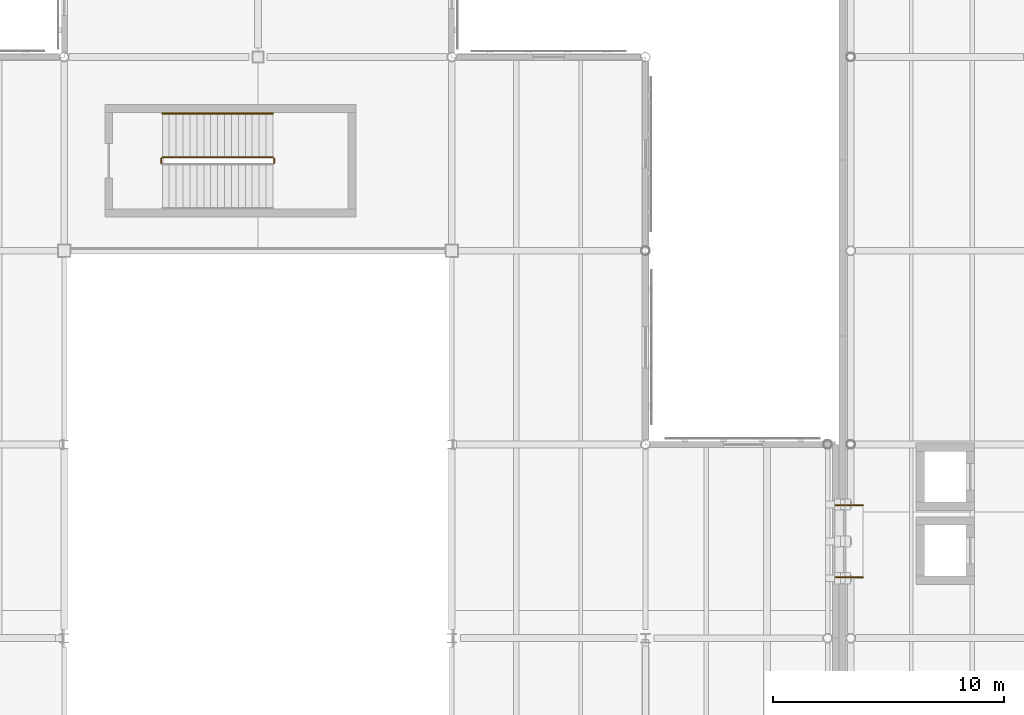
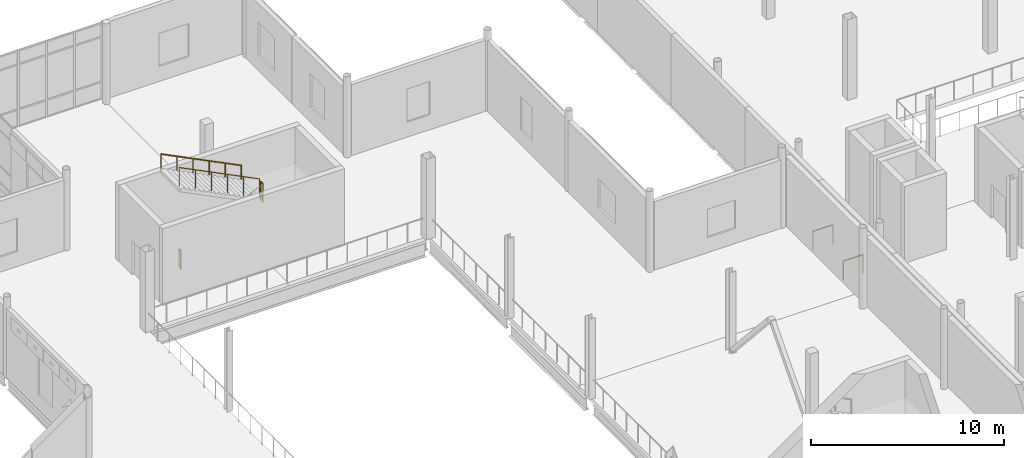
# One storey, part 98 of 104: 6 railings.
"""IFC4 building model written with IfcOpenShell, lengths in metres."""

import ifcopenshell
import ifcopenshell.guid

model = None  # the IFC model being written
_history = None  # IfcOwnerHistory: only IFC2X3 demands one
_inside = {}  # id of a spatial element -> (the spatial element, [elements in it])
_under = {}  # id of a project, library or spatial element -> (it, [spatial elements below it])
_declared = {}  # id of a project -> (the project, [libraries it declares])
_typed = {}  # id of a type object -> (the type object, [elements of that type])
_made_of = {}  # id of a material, layer set ... -> (it, [elements and type objects made of it])


def new_model(schema):
    """Start an empty IFC model of exactly this schema.

    Asked for "IFC4X3", IfcOpenShell would pick the latest addendum, in which some entities
    have other attributes; the version numbers below select the first issue.
    IFC2X3 requires an IfcOwnerHistory on every rooted entity: one is made here for all.
    """
    global model, _history
    if schema == "IFC4X3":
        model = ifcopenshell.file(schema_version=(4, 3, 0, 0))
    else:
        model = ifcopenshell.file(schema=schema)
    _inside.clear()
    _under.clear()
    _declared.clear()
    _typed.clear()
    _made_of.clear()
    _history = None
    if model.schema == "IFC2X3":
        org = make("IfcOrganization", Name="unknown")
        user = make(
            "IfcPersonAndOrganization",
            ThePerson=make("IfcPerson", FamilyName="unknown"),
            TheOrganization=org,
        )
        app = make(
            "IfcApplication",
            ApplicationDeveloper=org,
            Version="unknown",
            ApplicationFullName="unknown",
            ApplicationIdentifier="unknown",
        )
        _history = make(
            "IfcOwnerHistory",
            OwningUser=user,
            OwningApplication=app,
            ChangeAction="ADDED",
            CreationDate=0,
        )
    return model


def make(cls, **values):
    """One entity of the class cls with the attributes given. An attribute that is None is left unset."""
    return model.create_entity(
        cls, **{name: value for name, value in values.items() if value is not None}
    )


def rooted(cls, **values):
    """An entity with a GlobalId (a new one), such as an element, a storey or a relation."""
    return make(cls, GlobalId=ifcopenshell.guid.new(), OwnerHistory=_history, **values)


def si_unit(unit_type, name, prefix=None):
    """IfcSIUnit, for example si_unit("LENGTHUNIT", "METRE", prefix="MILLI")."""
    return make("IfcSIUnit", UnitType=unit_type, Prefix=prefix, Name=name)


def assignment(units):
    """IfcUnitAssignment: the units of a project."""
    return None if units is None else make("IfcUnitAssignment", Units=units)


def point(xyz):
    """IfcCartesianPoint."""
    return None if xyz is None else make("IfcCartesianPoint", Coordinates=xyz)


def direction(xyz):
    """IfcDirection."""
    return None if xyz is None else make("IfcDirection", DirectionRatios=xyz)


def frame(location, z_axis=None, x_axis=None):
    """IfcAxis2Placement3D, a coordinate frame: its origin and axes. An axis left out is left unset."""
    return make(
        "IfcAxis2Placement3D",
        Location=point(location),
        Axis=direction(z_axis),
        RefDirection=direction(x_axis),
    )


def frame_2d(location, x_axis=None):
    """IfcAxis2Placement2D, a coordinate frame in the plane: its origin and x axis."""
    return make(
        "IfcAxis2Placement2D", Location=point(location), RefDirection=direction(x_axis)
    )


def origin():
    """The frame at (0, 0, 0) with its axes left unset."""
    return frame((0.0, 0.0, 0.0))


def origin_2d():
    """The frame at (0, 0) in the plane with its x axis left unset."""
    return frame_2d((0.0, 0.0))


def place(relative_to, where):
    """IfcLocalPlacement: puts the frame where relative to a parent placement (None: the world)."""
    return make(
        "IfcLocalPlacement", PlacementRelTo=relative_to, RelativePlacement=where
    )


def context(
    kind, dimensions, precision=None, world=None, true_north=None, identifier=None
):
    """IfcGeometricRepresentationContext, for example the 3D "Model" context."""
    return make(
        "IfcGeometricRepresentationContext",
        ContextIdentifier=identifier,
        ContextType=kind,
        CoordinateSpaceDimension=dimensions,
        Precision=precision,
        WorldCoordinateSystem=world,
        TrueNorth=true_north,
    )


def subcontext(parent, identifier, kind, view, scale=None):
    """IfcGeometricRepresentationSubContext, for example "Body" below "Model"."""
    return make(
        "IfcGeometricRepresentationSubContext",
        ContextIdentifier=identifier,
        ContextType=kind,
        ParentContext=parent,
        TargetScale=scale,
        TargetView=view,
    )


def project(units=None, contexts=None):
    """IfcProject with its units and contexts."""
    return rooted(
        "IfcProject",
        Name="project",
        RepresentationContexts=contexts,
        UnitsInContext=assignment(units),
    )


def spatial(cls, under=None, at=None, **own):
    """A site, building, storey or space (cls), placed at a placement, below another one or the project."""
    s = rooted(cls, ObjectPlacement=at, **own)
    if under is not None:
        _under.setdefault(under.id(), (under, []))[1].append(s)
    return s


def profile(cls, at=None, kind="AREA", **sizes):
    """A parametric profile (cls). Its sizes go by their IFC names, for example OverallWidth=200.0."""
    return make(cls, ProfileType=kind, Position=at, **sizes)


def circle(**sizes):
    """IfcCircleProfileDef."""
    return profile("IfcCircleProfileDef", **sizes)


def extrude(swept, where, along, depth):
    """IfcExtrudedAreaSolid: the profile swept, set in the frame where, extruded along a direction by depth."""
    return make(
        "IfcExtrudedAreaSolid",
        SweptArea=swept,
        Position=where,
        ExtrudedDirection=direction(along),
        Depth=depth,
    )


def shape(context_of_items, identifier, shape_type, items):
    """IfcShapeRepresentation: the items that make up one representation, for example the "Body"."""
    return make(
        "IfcShapeRepresentation",
        ContextOfItems=context_of_items,
        RepresentationIdentifier=identifier,
        RepresentationType=shape_type,
        Items=items,
    )


def material(Name=None, Category=None):
    """IfcMaterial."""
    return make("IfcMaterial", Name=Name, Category=Category)


def made_of(thing, what):
    """Note that an element or type object is made of a material, layer set ...; save() writes the relation."""
    if what is not None:
        _made_of.setdefault(what.id(), (what, []))[1].append(thing)
    return thing


def type_object(cls, material=None, **own):
    """A type object (cls), such as IfcWallType, which elements share."""
    return made_of(rooted(cls, **own), material)


def element(
    cls,
    number,
    at=None,
    inside=None,
    cuts=None,
    type_object=None,
    material=None,
    context=None,
    identifier="Body",
    shape_type=None,
    held_by="IfcProductDefinitionShape",
    body=None,
    shapes=None,
    **own,
):
    """One element of the class cls, such as IfcWall. Its Tag is "e" and its number.

    at: its placement. inside: the storey or other place that contains it. cuts: it is an
    opening in that element (IfcRelVoidsElement). A single representation is given by context,
    identifier, shape_type and body (its items); several are given by shapes. held_by: the class
    of the entity that holds the representations. save() writes the other relations.
    """
    e = rooted(cls, Tag="e%d" % number, ObjectPlacement=at, **own)
    if body is not None:
        shapes = [shape(context, identifier, shape_type, body)]
    if shapes is not None:
        e.Representation = make(held_by, Representations=shapes)
    if inside is not None:
        _inside.setdefault(inside.id(), (inside, []))[1].append(e)
    if cuts is not None:
        rooted(
            "IfcRelVoidsElement", RelatingBuildingElement=cuts, RelatedOpeningElement=e
        )
    if type_object is not None:
        _typed.setdefault(type_object.id(), (type_object, []))[1].append(e)
    return made_of(e, material)


def aggregate(whole, parts):
    """IfcRelAggregates: a whole, such as a stair, and the parts it consists of."""
    return rooted("IfcRelAggregates", RelatingObject=whole, RelatedObjects=parts)


def save(model, path):
    """Write the relations noted so far, then the file.

    IfcRelAggregates (storeys below a building ...), IfcRelContainedInSpatialStructure (elements
    in a storey), IfcRelDefinesByType, IfcRelAssociatesMaterial and IfcRelDeclares: one each for
    every whole, place, type object, material and project.
    """
    for whole, parts in _under.values():
        aggregate(whole, parts)
    for where, things in _inside.values():
        rooted(
            "IfcRelContainedInSpatialStructure",
            RelatedElements=things,
            RelatingStructure=where,
        )
    for kind, things in _typed.values():
        rooted("IfcRelDefinesByType", RelatedObjects=things, RelatingType=kind)
    for what, things in _made_of.values():
        rooted("IfcRelAssociatesMaterial", RelatedObjects=things, RelatingMaterial=what)
    for by, libraries in _declared.values():
        rooted("IfcRelDeclares", RelatingContext=by, RelatedDefinitions=libraries)
    model.write(path)


model = new_model("IFC4")

# Units and contexts
model_context = context("Model", 3, precision=1e-05, world=origin(), true_north=direction((0.0, 1.0)))
body_context = subcontext(model_context, "Body", "Model", "MODEL_VIEW")
ifc_project = project(units=[si_unit("LENGTHUNIT", "METRE"), si_unit("AREAUNIT", "SQUARE_METRE"), si_unit("VOLUMEUNIT", "CUBIC_METRE"), si_unit("PLANEANGLEUNIT", "RADIAN"), si_unit("MASSUNIT", "GRAM", prefix="KILO"), si_unit("THERMODYNAMICTEMPERATUREUNIT", "KELVIN")], contexts=[model_context])

# Site, building, storey
site_placement = place(None, origin())
site = spatial("IfcSite", under=ifc_project, at=site_placement, CompositionType="ELEMENT")
building_placement = place(site_placement, origin())
building = spatial("IfcBuilding", under=site, at=building_placement, Name="Lustrewick Department Store", CompositionType="ELEMENT")
storey_placement = place(building_placement, frame((0.0, 0.0, 11.39990234375)))
storey = spatial("IfcBuildingStorey", under=building, at=storey_placement, Name="L03", CompositionType="ELEMENT", Elevation=11.39990234375)

# Railings
ifc_material_1 = material(Name="Laminated safety glass and bronze atrium balustrade", Category="glass")
railing_type_1 = type_object("IfcRailingType", Name="RL-BAL", PredefinedType="BALUSTRADE", material=ifc_material_1)
for number, where, name in (
    (1, (109.0400390625, 78.239990234375, 0.0), "L03 Skybridge SB24 South Guard 0032"),
    (2, (109.0400390625, 81.360107421875, 0.0), "L03 Skybridge SB24 North Guard 0033"),
):
    element("IfcRailing", number, at=place(storey_placement, frame(where)), inside=storey, type_object=railing_type_1, Name=name, PredefinedType="BALUSTRADE", context=body_context, shape_type="SweptSolid", body=[
        extrude(circle(Radius=0.02392578125, at=origin_2d()), frame((0.0, 0.0, 1.17578125), z_axis=(1.0, 0.0, 0.0), x_axis=(0.0, 1.0, 0.0)), (0.0, 0.0, 1.0), 1.18994140625),
        extrude(circle(Radius=0.02099609375, at=origin_2d()), origin(), (0.0, 0.0, 1.0), 1.15185546875),
        extrude(circle(Radius=0.02099609375, at=origin_2d()), frame((1.18994140625, 0.0, 0.0)), (0.0, 0.0, 1.0), 1.15185546875),
    ])
ifc_material_2 = material(Name="Painted tubular steel stairwell guardrail", Category="steel")
railing_type_2 = type_object("IfcRailingType", Name="RL-STG", PredefinedType="GUARDRAIL", material=ifc_material_2)
railing_1_placement = place(storey_placement, frame((84.699951171875, 96.199951171875, 2.550048828125)))
element("IfcRailing", 3, at=railing_1_placement, inside=storey, type_object=railing_type_2, Name="L03 ST06 Stair Guard 2", PredefinedType="GUARDRAIL", context=body_context, shape_type="SweptSolid", body=[
    extrude(circle(Radius=0.02392578125, at=origin_2d()), frame((0.0, 0.0, 1.17578125), z_axis=(0.0, 1.0, 0.0), x_axis=(-1.0, 0.0, 0.0)), (0.0, 0.0, 1.0), 0.199951171875),
    extrude(circle(Radius=0.02099609375, at=origin_2d()), origin(), (0.0, 0.0, 1.0), 1.15185546875),
    extrude(circle(Radius=0.02099609375, at=origin_2d()), frame((0.0, 0.199951171875, 0.0)), (0.0, 0.0, 1.0), 1.15185546875),
])
railing_2_placement = place(storey_placement, frame((84.64990234375, 96.449951171875, 2.7001953125)))
element("IfcRailing", 4, at=railing_2_placement, inside=storey, type_object=railing_type_2, Name="L03 ST06 Stair Guard 3", PredefinedType="GUARDRAIL", context=body_context, shape_type="SweptSolid", body=[
    extrude(circle(Radius=0.02392578125, at=origin_2d()), frame((0.0, 0.0, 1.17578125), z_axis=(-0.894427191, 0.0, 0.4472135955), x_axis=(0.0, -1.0, 0.0)), (0.0, 0.0, 1.0), 5.366455078125),
    extrude(circle(Radius=0.02099609375, at=origin_2d()), origin(), (0.0, 0.0, 1.0), 1.15185546875),
    extrude(circle(Radius=0.02099609375, at=origin_2d()), frame((-0.9599609375, 0.0, 0.47998046875)), (0.0, 0.0, 1.0), 1.15185546875),
    extrude(circle(Radius=0.02099609375, at=origin_2d()), frame((-1.919921875, 0.0, 0.9599609375)), (0.0, 0.0, 1.0), 1.15185546875),
    extrude(circle(Radius=0.02099609375, at=origin_2d()), frame((-2.8798828125, 0.0, 1.43994140625)), (0.0, 0.0, 1.0), 1.15185546875),
    extrude(circle(Radius=0.02099609375, at=origin_2d()), frame((-3.83984375, 0.0, 1.919921875)), (0.0, 0.0, 1.0), 1.15185546875),
    extrude(circle(Radius=0.02099609375, at=origin_2d()), frame((-4.7998046875, 0.0, 2.39990234375)), (0.0, 0.0, 1.0), 1.15185546875),
])
railing_3_placement = place(storey_placement, frame((79.800048828125, 96.199951171875, 0.0)))
element("IfcRailing", 5, at=railing_3_placement, inside=storey, type_object=railing_type_2, Name="L03 ST06 Stair Guard 4", PredefinedType="GUARDRAIL", context=body_context, shape_type="SweptSolid", body=[
    extrude(circle(Radius=0.02392578125, at=origin_2d()), frame((0.0, 0.0, 1.17578125), z_axis=(0.0, 1.0, 0.0), x_axis=(-1.0, 0.0, 0.0)), (0.0, 0.0, 1.0), 0.199951171875),
    extrude(circle(Radius=0.02099609375, at=origin_2d()), origin(), (0.0, 0.0, 1.0), 1.15185546875),
    extrude(circle(Radius=0.02099609375, at=origin_2d()), frame((0.0, 0.199951171875, 0.0)), (0.0, 0.0, 1.0), 1.15185546875),
])
ifc_material_3 = material(Name="Brushed stainless steel wall handrail", Category="steel")
railing_type_3 = type_object("IfcRailingType", Name="RL-STH", PredefinedType="HANDRAIL", material=ifc_material_3)
railing_4_placement = place(storey_placement, frame((84.64990234375, 98.35009765625, 2.7001953125)))
element("IfcRailing", 6, at=railing_4_placement, inside=storey, type_object=railing_type_3, Name="L03 ST06 Stair Handrail 2", PredefinedType="HANDRAIL", context=body_context, shape_type="SweptSolid", body=[
    extrude(circle(Radius=0.02392578125, at=origin_2d()), frame((0.0, 0.0, 0.8759765625), z_axis=(-0.894427191, 0.0, 0.4472135955), x_axis=(0.0, -1.0, 0.0)), (0.0, 0.0, 1.0), 5.366455078125),
    extrude(circle(Radius=0.02099609375, at=origin_2d()), origin(), (0.0, 0.0, 1.0), 0.851806640625),
    extrude(circle(Radius=0.02099609375, at=origin_2d()), frame((-0.9599609375, 0.0, 0.47998046875)), (0.0, 0.0, 1.0), 0.851806640625),
    extrude(circle(Radius=0.02099609375, at=origin_2d()), frame((-1.919921875, 0.0, 0.9599609375)), (0.0, 0.0, 1.0), 0.851806640625),
    extrude(circle(Radius=0.02099609375, at=origin_2d()), frame((-2.8798828125, 0.0, 1.43994140625)), (0.0, 0.0, 1.0), 0.851806640625),
    extrude(circle(Radius=0.02099609375, at=origin_2d()), frame((-3.83984375, 0.0, 1.919921875)), (0.0, 0.0, 1.0), 0.851806640625),
    extrude(circle(Radius=0.02099609375, at=origin_2d()), frame((-4.7998046875, 0.0, 2.39990234375)), (0.0, 0.0, 1.0), 0.851806640625),
])

save(model, "model.ifc")
